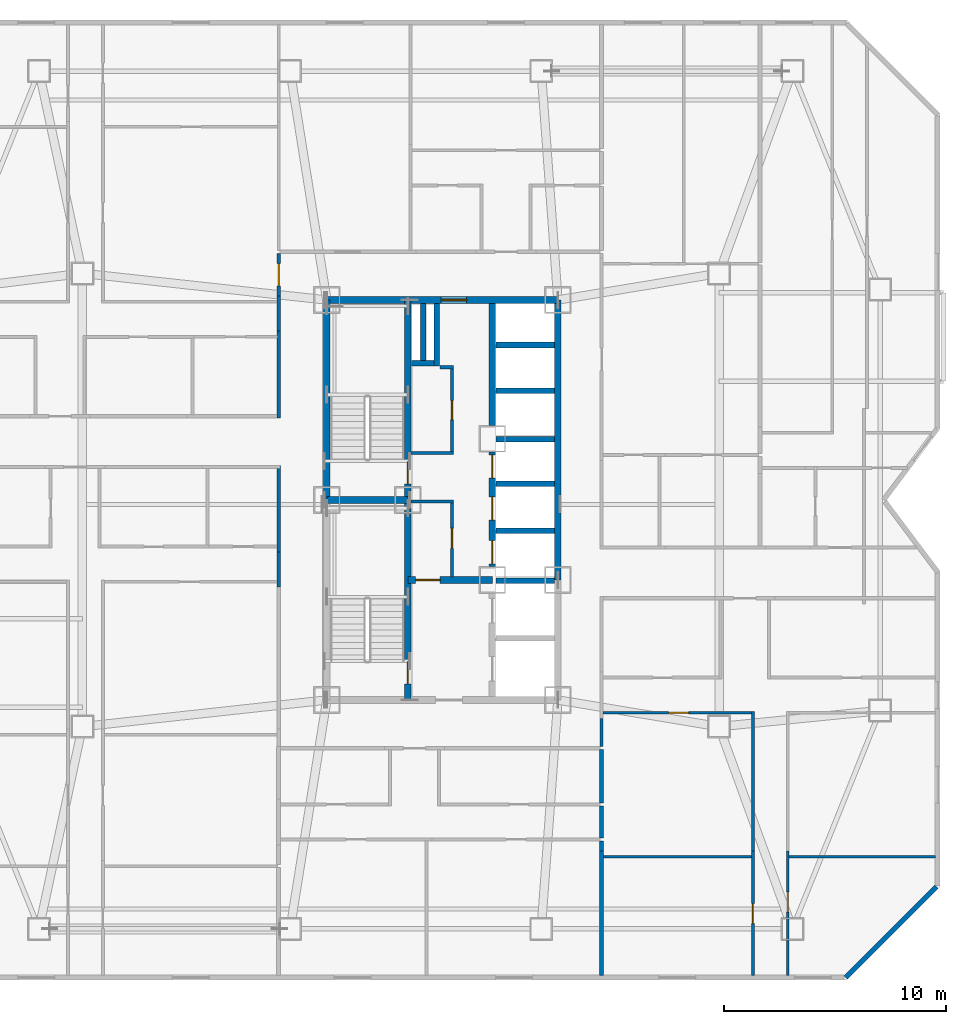
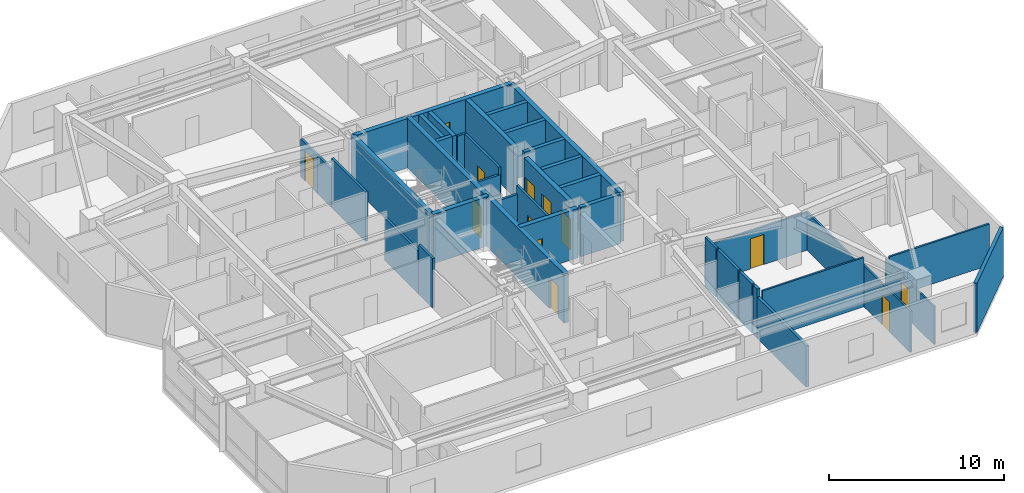
# One storey, part 13 of 17: 40 walls, 13 doors, 13 openings.
"""IFC4 building model written with IfcOpenShell, lengths in metres."""

from ifc_helpers import new_model, si_unit, direction, frame, frame_2d, origin, place, context, subcontext, project, spatial, rectangle, extrude, material, layer, layer_set, type_object, element, fill, save


model = new_model("IFC4")

# Units and contexts
model_context = context("Model", 3, precision=1e-05, world=origin(), true_north=direction((0.0, 1.0)))
body_context = subcontext(model_context, "Body", "Model", "MODEL_VIEW")
ifc_project = project(units=[si_unit("LENGTHUNIT", "METRE"), si_unit("AREAUNIT", "SQUARE_METRE"), si_unit("VOLUMEUNIT", "CUBIC_METRE"), si_unit("PLANEANGLEUNIT", "RADIAN"), si_unit("MASSUNIT", "GRAM", prefix="KILO")], contexts=[model_context])

# Site, building, storey
site_placement = place(None, origin())
site = spatial("IfcSite", under=ifc_project, at=site_placement, CompositionType="ELEMENT")
building_placement = place(site_placement, origin())
building = spatial("IfcBuilding", under=site, at=building_placement, Name="Khamvora Tower", CompositionType="ELEMENT")
storey_placement = place(building_placement, frame((0.0, 0.0, 131.10009765625)))
storey = spatial("IfcBuildingStorey", under=building, at=storey_placement, Name="L33", CompositionType="ELEMENT", Elevation=131.10009765625)

# Wall
ifc_material_1 = material(Name="Concrete C50/60", Category="concrete")
ifc_layer_1 = layer(ifc_material_1, 0.300048828125)
ifc_layer_set_1 = layer_set([ifc_layer_1], Name="Concrete C50/60")
wall_type_1 = type_object("IfcWallType", Name="WAL-CORE-300", PredefinedType="SHEAR", material=ifc_layer_set_1)
wall_1_placement = place(storey_placement, frame((29.0, 28.0, 0.0), z_axis=(0.0, 0.0, 1.0), x_axis=(0.0, 1.0, 0.0)))
element("IfcWall", 1, at=wall_1_placement, inside=storey, type_object=wall_type_1, Name="L33 central core west north wall", PredefinedType="SHEAR", context=body_context, shape_type="SweptSolid", body=[
    extrude(rectangle(XDim=9.0, YDim=0.300048828125, at=frame_2d((4.5, 0.0))), origin(), (0.0, 0.0, 1.0), 3.429931640625),
])

# Wall, opening, door
wall_2_placement = place(storey_placement, frame((29.0, 37.0, 0.0), z_axis=(0.0, 0.0, 1.0), x_axis=(1.0, 0.0, 0.0)))
wall_2 = element("IfcWall", 2, at=wall_2_placement, inside=storey, type_object=wall_type_1, Name="L33 central core north wall", PredefinedType="SHEAR", context=body_context, shape_type="SweptSolid", body=[
    extrude(rectangle(XDim=10.39990234375, YDim=0.300048828125, at=frame_2d((5.199951171875, 0.0))), origin(), (0.0, 0.0, 1.0), 3.429931640625),
])
opening_1_placement = place(wall_2_placement, frame((5.139892578125, 0.0, 0.0)))
opening_1 = element("IfcOpeningElement", 3, at=opening_1_placement, cuts=wall_2, Name="Opening D-SC1", PredefinedType="OPENING", context=body_context, shape_type="SweptSolid", body=[
    extrude(rectangle(XDim=1.14990234375, YDim=2.199951171875, at=frame_2d((0.574951171875, 1.10009765625))), frame((0.0, 0.159912109375, 0.0), z_axis=(0.0, -1.0, 0.0), x_axis=(1.0, 0.0, 0.0)), (0.0, 0.0, 1.0), 0.320068359375),
])
ifc_material_2 = material(Name="Powder-Coated Steel and Hardwood Leaf", Category="steel")
door_type_1 = type_object("IfcDoorType", Name="DOR-SCHL-1150", OperationType="NOTDEFINED", PredefinedType="DOOR", material=ifc_material_2)
door_1_placement = place(opening_1_placement, origin())
door_1 = element("IfcDoor", 4, at=door_1_placement, inside=storey, type_object=door_type_1, Name="L33 north core lobby to corridor fire door", OperationType="SINGLE_SWING_LEFT", OverallHeight=2.199951171875, OverallWidth=1.14990234375, PredefinedType="DOOR", context=body_context, shape_type="SweptSolid", body=[
    extrude(rectangle(XDim=1.14990234375, YDim=2.199951171875, at=frame_2d((0.574951171875, 1.10009765625))), frame((0.0, 0.02490234375, 0.0), z_axis=(0.0, -1.0, 0.0), x_axis=(1.0, 0.0, 0.0)), (0.0, 0.0, 1.0), 0.050048828125),
])
fill(opening_1, door_1)

# Wall
wall_3_placement = place(storey_placement, frame((39.39990234375, 24.39990234375, 0.0), z_axis=(0.0, 0.0, 1.0), x_axis=(0.0, 1.0, 0.0)))
element("IfcWall", 5, at=wall_3_placement, inside=storey, type_object=wall_type_1, Name="L33 central core east north wall", PredefinedType="SHEAR", context=body_context, shape_type="SweptSolid", body=[
    extrude(rectangle(XDim=12.60009765625, YDim=0.300048828125, at=frame_2d((6.300048828125, 0.0))), origin(), (0.0, 0.0, 1.0), 3.429931640625),
])

# Wall, opening, door
wall_4_placement = place(storey_placement, frame((32.64990234375, 19.0, 0.0), z_axis=(0.0, 0.0, 1.0), x_axis=(0.0, 1.0, 0.0)))
wall_4 = element("IfcWall", 6, at=wall_4_placement, inside=storey, type_object=wall_type_1, Name="L33 central core stair south spine wall", PredefinedType="SHEAR", context=body_context, shape_type="SweptSolid", body=[
    extrude(rectangle(XDim=9.0, YDim=0.300048828125, at=frame_2d((4.5, 0.0))), origin(), (0.0, 0.0, 1.0), 3.429931640625),
])
opening_2_placement = place(wall_4_placement, frame((0.719970703125, 0.0, 0.0)))
opening_2 = element("IfcOpeningElement", 7, at=opening_2_placement, cuts=wall_4, Name="Opening D-ST1", PredefinedType="OPENING", context=body_context, shape_type="SweptSolid", body=[
    extrude(rectangle(XDim=1.0, YDim=2.14990234375, at=frame_2d((0.5, 1.074951171875))), frame((0.0, 0.159912109375, 0.0), z_axis=(0.0, -1.0, 0.0), x_axis=(1.0, 0.0, 0.0)), (0.0, 0.0, 1.0), 0.320068359375),
])
door_type_2 = type_object("IfcDoorType", Name="DOR-STAIR-1000", OperationType="NOTDEFINED", PredefinedType="DOOR", material=ifc_material_2)
door_2_placement = place(opening_2_placement, origin())
door_2 = element("IfcDoor", 8, at=door_2_placement, inside=storey, type_object=door_type_2, Name="L33 exit stair ST-01 fire door", OperationType="SINGLE_SWING_RIGHT", OverallHeight=2.14990234375, OverallWidth=1.0, PredefinedType="DOOR", context=body_context, shape_type="SweptSolid", body=[
    extrude(rectangle(XDim=1.0, YDim=2.14990234375, at=frame_2d((0.5, 1.074951171875))), frame((0.0, 0.02490234375, 0.0), z_axis=(0.0, -1.0, 0.0), x_axis=(1.0, 0.0, 0.0)), (0.0, 0.0, 1.0), 0.050048828125),
])
fill(opening_2, door_2)

wall_5_placement = place(storey_placement, frame((32.64990234375, 28.0, 0.0), z_axis=(0.0, 0.0, 1.0), x_axis=(0.0, 1.0, 0.0)))
wall_5 = element("IfcWall", 9, at=wall_5_placement, inside=storey, type_object=wall_type_1, Name="L33 central core stair north spine wall", PredefinedType="SHEAR", context=body_context, shape_type="SweptSolid", body=[
    extrude(rectangle(XDim=9.0, YDim=0.300048828125, at=frame_2d((4.5, 0.0))), origin(), (0.0, 0.0, 1.0), 3.429931640625),
])
opening_3_placement = place(wall_5_placement, frame((0.719970703125, 0.0, 0.0)))
opening_3 = element("IfcOpeningElement", 10, at=opening_3_placement, cuts=wall_5, Name="Opening D-ST1", PredefinedType="OPENING", context=body_context, shape_type="SweptSolid", body=[
    extrude(rectangle(XDim=1.0, YDim=2.14990234375, at=frame_2d((0.5, 1.074951171875))), frame((0.0, 0.159912109375, 0.0), z_axis=(0.0, -1.0, 0.0), x_axis=(1.0, 0.0, 0.0)), (0.0, 0.0, 1.0), 0.320068359375),
])
door_3_placement = place(opening_3_placement, origin())
door_3 = element("IfcDoor", 11, at=door_3_placement, inside=storey, type_object=door_type_2, Name="L33 exit stair ST-02 fire door", OperationType="SINGLE_SWING_RIGHT", OverallHeight=2.14990234375, OverallWidth=1.0, PredefinedType="DOOR", context=body_context, shape_type="SweptSolid", body=[
    extrude(rectangle(XDim=1.0, YDim=2.14990234375, at=frame_2d((0.5, 1.074951171875))), frame((0.0, 0.02490234375, 0.0), z_axis=(0.0, -1.0, 0.0), x_axis=(1.0, 0.0, 0.0)), (0.0, 0.0, 1.0), 0.050048828125),
])
fill(opening_3, door_3)

# Wall
wall_6_placement = place(storey_placement, frame((29.0, 28.0, 0.0), z_axis=(0.0, 0.0, 1.0), x_axis=(1.0, 0.0, 0.0)))
element("IfcWall", 12, at=wall_6_placement, inside=storey, type_object=wall_type_1, Name="L33 central core stair cross wall", PredefinedType="SHEAR", context=body_context, shape_type="SweptSolid", body=[
    extrude(rectangle(XDim=3.64990234375, YDim=0.300048828125, at=frame_2d((1.824951171875, 0.0))), origin(), (0.0, 0.0, 1.0), 3.429931640625),
])

# Wall, opening, door
wall_7_placement = place(storey_placement, frame((32.64990234375, 24.39990234375, 0.0), z_axis=(0.0, 0.0, 1.0), x_axis=(1.0, 0.0, 0.0)))
wall_7 = element("IfcWall", 13, at=wall_7_placement, inside=storey, type_object=wall_type_1, Name="L33 central core firefighting lobby north wall", PredefinedType="SHEAR", context=body_context, shape_type="SweptSolid", body=[
    extrude(rectangle(XDim=3.800048828125, YDim=0.300048828125, at=frame_2d((1.89990234375, 0.0))), origin(), (0.0, 0.0, 1.0), 3.429931640625),
])
opening_4_placement = place(wall_7_placement, frame((0.35009765625, 0.0, 0.0)))
opening_4 = element("IfcOpeningElement", 14, at=opening_4_placement, cuts=wall_7, Name="Opening D-FF1", PredefinedType="OPENING", context=body_context, shape_type="SweptSolid", body=[
    extrude(rectangle(XDim=1.10009765625, YDim=2.14990234375, at=frame_2d((0.550048828125, 1.074951171875))), frame((0.0, 0.159912109375, 0.0), z_axis=(0.0, -1.0, 0.0), x_axis=(1.0, 0.0, 0.0)), (0.0, 0.0, 1.0), 0.320068359375),
])
door_type_3 = type_object("IfcDoorType", Name="DOR-FFLOB-1100", OperationType="NOTDEFINED", PredefinedType="DOOR", material=ifc_material_2)
door_4_placement = place(opening_4_placement, origin())
door_4 = element("IfcDoor", 15, at=door_4_placement, inside=storey, type_object=door_type_3, Name="L33 firefighting lobby smoke-seal fire door", OperationType="SINGLE_SWING_LEFT", OverallHeight=2.14990234375, OverallWidth=1.10009765625, PredefinedType="DOOR", context=body_context, shape_type="SweptSolid", body=[
    extrude(rectangle(XDim=1.10009765625, YDim=2.14990234375, at=frame_2d((0.550048828125, 1.074951171875))), frame((0.0, 0.02490234375, 0.0), z_axis=(0.0, -1.0, 0.0), x_axis=(1.0, 0.0, 0.0)), (0.0, 0.0, 1.0), 0.050048828125),
])
fill(opening_4, door_4)

# Wall, openings, doors
wall_8_placement = place(storey_placement, frame((36.449951171875, 25.0, 0.0), z_axis=(0.0, 0.0, 1.0), x_axis=(0.0, 1.0, 0.0)))
wall_8 = element("IfcWall", 16, at=wall_8_placement, inside=storey, type_object=wall_type_1, Name="L33 central core lift bank central wall", PredefinedType="SHEAR", context=body_context, shape_type="SweptSolid", body=[
    extrude(rectangle(XDim=5.14990234375, YDim=0.300048828125, at=frame_2d((2.574951171875, 0.0))), origin(), (0.0, 0.0, 1.0), 3.429931640625),
])
opening_5_placement = place(wall_8_placement, frame((0.1201171875, 0.0, 0.0)))
opening_5 = element("IfcOpeningElement", 17, at=opening_5_placement, cuts=wall_8, Name="Opening LD-PL", PredefinedType="OPENING", context=body_context, shape_type="SweptSolid", body=[
    extrude(rectangle(XDim=1.050048828125, YDim=2.14990234375, at=frame_2d((0.52490234375, 1.074951171875))), frame((0.0, 0.159912109375, 0.0), z_axis=(0.0, -1.0, 0.0), x_axis=(1.0, 0.0, 0.0)), (0.0, 0.0, 1.0), 0.320068359375),
])
opening_6_placement = place(wall_8_placement, frame((2.094970703125, 0.0, 0.0)))
opening_6 = element("IfcOpeningElement", 18, at=opening_6_placement, cuts=wall_8, Name="Opening LD-PL", PredefinedType="OPENING", context=body_context, shape_type="SweptSolid", body=[
    extrude(rectangle(XDim=1.050048828125, YDim=2.14990234375, at=frame_2d((0.52490234375, 1.074951171875))), frame((0.0, 0.159912109375, 0.0), z_axis=(0.0, -1.0, 0.0), x_axis=(1.0, 0.0, 0.0)), (0.0, 0.0, 1.0), 0.320068359375),
])
opening_7_placement = place(wall_8_placement, frame((3.97998046875, 0.0, 0.0)))
opening_7 = element("IfcOpeningElement", 19, at=opening_7_placement, cuts=wall_8, Name="Opening LD-PL", PredefinedType="OPENING", context=body_context, shape_type="SweptSolid", body=[
    extrude(rectangle(XDim=1.050048828125, YDim=2.14990234375, at=frame_2d((0.52490234375, 1.074951171875))), frame((0.0, 0.159912109375, 0.0), z_axis=(0.0, -1.0, 0.0), x_axis=(1.0, 0.0, 0.0)), (0.0, 0.0, 1.0), 0.320068359375),
])
door_type_4 = type_object("IfcDoorType", Name="DOR-LIFT-1050", OperationType="SLIDING_TO_LEFT", PredefinedType="DOOR", material=ifc_material_2)
door_5_placement = place(opening_5_placement, origin())
door_5 = element("IfcDoor", 20, at=door_5_placement, inside=storey, type_object=door_type_4, Name="L33 lift landing sliding door PL-01", OperationType="SLIDING_TO_LEFT", OverallHeight=2.14990234375, OverallWidth=1.050048828125, PredefinedType="DOOR", context=body_context, shape_type="SweptSolid", body=[
    extrude(rectangle(XDim=1.050048828125, YDim=2.14990234375, at=frame_2d((0.52490234375, 1.074951171875))), frame((0.0, 0.02490234375, 0.0), z_axis=(0.0, -1.0, 0.0), x_axis=(1.0, 0.0, 0.0)), (0.0, 0.0, 1.0), 0.050048828125),
])
fill(opening_5, door_5)
door_6_placement = place(opening_6_placement, origin())
door_6 = element("IfcDoor", 21, at=door_6_placement, inside=storey, type_object=door_type_4, Name="L33 lift landing sliding door PL-02", OperationType="SLIDING_TO_LEFT", OverallHeight=2.14990234375, OverallWidth=1.050048828125, PredefinedType="DOOR", context=body_context, shape_type="SweptSolid", body=[
    extrude(rectangle(XDim=1.050048828125, YDim=2.14990234375, at=frame_2d((0.52490234375, 1.074951171875))), frame((0.0, 0.02490234375, 0.0), z_axis=(0.0, -1.0, 0.0), x_axis=(1.0, 0.0, 0.0)), (0.0, 0.0, 1.0), 0.050048828125),
])
fill(opening_6, door_6)
door_7_placement = place(opening_7_placement, origin())
door_7 = element("IfcDoor", 22, at=door_7_placement, inside=storey, type_object=door_type_4, Name="L33 lift landing sliding door PL-03", OperationType="SLIDING_TO_LEFT", OverallHeight=2.14990234375, OverallWidth=1.050048828125, PredefinedType="DOOR", context=body_context, shape_type="SweptSolid", body=[
    extrude(rectangle(XDim=1.050048828125, YDim=2.14990234375, at=frame_2d((0.52490234375, 1.074951171875))), frame((0.0, 0.02490234375, 0.0), z_axis=(0.0, -1.0, 0.0), x_axis=(1.0, 0.0, 0.0)), (0.0, 0.0, 1.0), 0.050048828125),
])
fill(opening_7, door_7)

# Walls
wall_9_placement = place(storey_placement, frame((36.449951171875, 31.35009765625, 0.0), z_axis=(0.0, 0.0, 1.0), x_axis=(0.0, 1.0, 0.0)))
element("IfcWall", 23, at=wall_9_placement, inside=storey, type_object=wall_type_1, Name="L33 central core lift bank north wall", PredefinedType="SHEAR", context=body_context, shape_type="SweptSolid", body=[
    extrude(rectangle(XDim=5.495849609375, YDim=0.300048828125, at=frame_2d((2.748046875, 0.0))), origin(), (0.0, 0.0, 1.0), 3.429931640625),
])
ifc_material_3 = material(Name="Fire-Rated Drywall and Steel Stud", Category="steel")
ifc_layer_2 = layer(ifc_material_3, 0.14990234375)
ifc_layer_set_2 = layer_set([ifc_layer_2], Name="Fire-Rated Drywall and Steel Stud")
wall_type_2 = type_object("IfcWallType", Name="WAL-CORR-150", PredefinedType="STANDARD", material=ifc_layer_set_2)
wall_10_placement = place(storey_placement, frame((32.7939453125, 30.114990234375, 0.0), z_axis=(0.0, 0.0, 1.0), x_axis=(1.0, 0.0, 0.0)))
element("IfcWall", 24, at=wall_10_placement, inside=storey, type_object=wall_type_2, Name="L33 interior partition wall 001", PredefinedType="STANDARD", context=body_context, shape_type="SweptSolid", body=[
    extrude(rectangle(XDim=1.906005859375, YDim=0.14990234375, at=frame_2d((0.953125, 0.0))), origin(), (0.0, 0.0, 1.0), 2.886962890625),
])

# Wall, opening, door
wall_11_placement = place(storey_placement, frame((34.635009765625, 30.052001953125, 0.0), z_axis=(0.0, 0.0, 1.0), x_axis=(0.0, 1.0, 0.0)))
wall_11 = element("IfcWall", 25, at=wall_11_placement, inside=storey, type_object=wall_type_2, Name="L33 interior partition wall 002", PredefinedType="STANDARD", context=body_context, shape_type="SweptSolid", body=[
    extrude(rectangle(XDim=3.988037109375, YDim=0.14990234375, at=frame_2d((1.994140625, 0.0))), origin(), (0.0, 0.0, 1.0), 3.429931640625),
])
opening_8_placement = place(wall_11_placement, frame((1.569091796875, 0.0, 0.0)))
opening_8 = element("IfcOpeningElement", 26, at=opening_8_placement, cuts=wall_11, Name="Opening D-WC1", PredefinedType="OPENING", context=body_context, shape_type="SweptSolid", body=[
    extrude(rectangle(XDim=0.85009765625, YDim=2.10009765625, at=frame_2d((0.425048828125, 1.050048828125))), frame((0.0, 0.0849609375, 0.0), z_axis=(0.0, -1.0, 0.0), x_axis=(1.0, 0.0, 0.0)), (0.0, 0.0, 1.0), 0.169921875),
])
door_type_5 = type_object("IfcDoorType", Name="DOR-WET-850", OperationType="NOTDEFINED", PredefinedType="DOOR", material=ifc_material_2)
door_8_placement = place(opening_8_placement, origin())
door_8 = element("IfcDoor", 27, at=door_8_placement, inside=storey, type_object=door_type_5, Name="L33 interior door PLL-CS1", OperationType="SINGLE_SWING_RIGHT", OverallHeight=2.10009765625, OverallWidth=0.85009765625, PredefinedType="DOOR", context=body_context, shape_type="SweptSolid", body=[
    extrude(rectangle(XDim=0.85009765625, YDim=2.10009765625, at=frame_2d((0.425048828125, 1.050048828125))), frame((0.0, 0.02490234375, 0.0), z_axis=(0.0, -1.0, 0.0), x_axis=(1.0, 0.0, 0.0)), (0.0, 0.0, 1.0), 0.050048828125),
])
fill(opening_8, door_8)

# Wall
wall_12_placement = place(storey_placement, frame((34.699951171875, 33.97509765625, 0.0), z_axis=(0.0, 0.0, 1.0), x_axis=(-1.0, 0.0, 0.0)))
element("IfcWall", 28, at=wall_12_placement, inside=storey, type_object=wall_type_2, Name="L33 interior partition wall 003", PredefinedType="STANDARD", context=body_context, shape_type="SweptSolid", body=[
    extrude(rectangle(XDim=0.599853515625, YDim=0.14990234375, at=frame_2d((0.2998046875, 0.0))), origin(), (0.0, 0.0, 1.0), 3.429931640625),
])

# Wall, opening, door
wall_13_placement = place(storey_placement, frame((34.635009765625, 24.5439453125, 0.0), z_axis=(0.0, 0.0, 1.0), x_axis=(0.0, 1.0, 0.0)))
wall_13 = element("IfcWall", 29, at=wall_13_placement, inside=storey, type_object=wall_type_2, Name="L33 interior partition wall 004", PredefinedType="STANDARD", context=body_context, shape_type="SweptSolid", body=[
    extrude(rectangle(XDim=3.4560546875, YDim=0.14990234375, at=frame_2d((1.72802734375, 0.0))), origin(), (0.0, 0.0, 1.0), 3.429931640625),
])
opening_9_placement = place(wall_13_placement, frame((1.278076171875, 0.0, 0.0)))
opening_9 = element("IfcOpeningElement", 30, at=opening_9_placement, cuts=wall_13, Name="Opening D-RM1", PredefinedType="OPENING", context=body_context, shape_type="SweptSolid", body=[
    extrude(rectangle(XDim=0.89990234375, YDim=2.10009765625, at=frame_2d((0.449951171875, 1.050048828125))), frame((0.0, 0.0849609375, 0.0), z_axis=(0.0, -1.0, 0.0), x_axis=(1.0, 0.0, 0.0)), (0.0, 0.0, 1.0), 0.169921875),
])
door_type_6 = type_object("IfcDoorType", Name="DOR-ROOM-900", OperationType="NOTDEFINED", PredefinedType="DOOR", material=ifc_material_2)
door_9_placement = place(opening_9_placement, origin())
door_9 = element("IfcDoor", 31, at=door_9_placement, inside=storey, type_object=door_type_6, Name="L33 interior door PLL-CS2", OperationType="SINGLE_SWING_LEFT", OverallHeight=2.10009765625, OverallWidth=0.89990234375, PredefinedType="DOOR", context=body_context, shape_type="SweptSolid", body=[
    extrude(rectangle(XDim=0.89990234375, YDim=2.10009765625, at=frame_2d((0.449951171875, 1.050048828125))), frame((0.0, 0.02490234375, 0.0), z_axis=(0.0, -1.0, 0.0), x_axis=(1.0, 0.0, 0.0)), (0.0, 0.0, 1.0), 0.050048828125),
])
fill(opening_9, door_9)

# Walls
wall_14_placement = place(storey_placement, frame((34.699951171875, 27.93505859375, 0.0), z_axis=(0.0, 0.0, 1.0), x_axis=(-1.0, 0.0, 0.0)))
element("IfcWall", 32, at=wall_14_placement, inside=storey, type_object=wall_type_2, Name="L33 interior partition wall 005", PredefinedType="STANDARD", context=body_context, shape_type="SweptSolid", body=[
    extrude(rectangle(XDim=1.906005859375, YDim=0.14990234375, at=frame_2d((0.953125, 0.0))), origin(), (0.0, 0.0, 1.0), 2.886962890625),
])
wall_15_placement = place(storey_placement, frame((26.8349609375, 25.656005859375, 0.0), z_axis=(0.0, 0.0, 1.0), x_axis=(0.0, 1.0, 0.0)))
element("IfcWall", 33, at=wall_15_placement, inside=storey, type_object=wall_type_2, Name="L33 interior partition wall 007", PredefinedType="STANDARD", context=body_context, shape_type="SweptSolid", body=[
    extrude(rectangle(XDim=3.89404296875, YDim=0.14990234375, at=frame_2d((1.947021484375, 0.0))), origin(), (0.0, 0.0, 1.0), 2.956787109375),
])
wall_16_placement = place(storey_placement, frame((26.8349609375, 24.075927734375, 0.0), z_axis=(0.0, 0.0, 1.0), x_axis=(0.0, 1.0, 0.0)))
element("IfcWall", 34, at=wall_16_placement, inside=storey, type_object=wall_type_2, Name="L33 interior partition wall 009", PredefinedType="STANDARD", context=body_context, shape_type="SweptSolid", body=[
    extrude(rectangle(XDim=1.580078125, YDim=0.14990234375, at=frame_2d((0.7900390625, 0.0))), origin(), (0.0, 0.0, 1.0), 3.429931640625),
])
wall_17_placement = place(storey_placement, frame((26.8349609375, 31.699951171875, 0.0), z_axis=(0.0, 0.0, 1.0), x_axis=(0.0, 1.0, 0.0)))
element("IfcWall", 35, at=wall_17_placement, inside=storey, type_object=wall_type_2, Name="L33 interior partition wall 015", PredefinedType="STANDARD", context=body_context, shape_type="SweptSolid", body=[
    extrude(rectangle(XDim=3.89404296875, YDim=0.14990234375, at=frame_2d((1.947021484375, 0.0))), origin(), (0.0, 0.0, 1.0), 3.429931640625),
])
wall_18_placement = place(storey_placement, frame((26.8349609375, 35.593994140625, 0.0), z_axis=(0.0, 0.0, 1.0), x_axis=(0.0, 1.0, 0.0)))
element("IfcWall", 36, at=wall_18_placement, inside=storey, type_object=wall_type_2, Name="L33 interior partition wall 017", PredefinedType="STANDARD", context=body_context, shape_type="SweptSolid", body=[
    extrude(rectangle(XDim=1.580078125, YDim=0.14990234375, at=frame_2d((0.7900390625, 0.0))), origin(), (0.0, 0.0, 1.0), 2.64697265625),
])

# Wall, opening, door
wall_19_placement = place(storey_placement, frame((26.8349609375, 37.174072265625, 0.0), z_axis=(0.0, 0.0, 1.0), x_axis=(0.0, 1.0, 0.0)))
wall_19 = element("IfcWall", 37, at=wall_19_placement, inside=storey, type_object=wall_type_2, Name="L33 interior partition wall 021", PredefinedType="STANDARD", context=body_context, shape_type="SweptSolid", body=[
    extrude(rectangle(XDim=1.926025390625, YDim=0.14990234375, at=frame_2d((0.962890625, 0.0))), origin(), (0.0, 0.0, 1.0), 2.64697265625),
])
opening_10_placement = place(wall_19_placement, frame((0.462890625, 0.0, 0.0)))
opening_10 = element("IfcOpeningElement", 38, at=opening_10_placement, cuts=wall_19, Name="Opening D-U1", PredefinedType="OPENING", context=body_context, shape_type="SweptSolid", body=[
    extrude(rectangle(XDim=1.0, YDim=2.14990234375, at=frame_2d((0.5, 1.074951171875))), frame((0.0, 0.0849609375, 0.0), z_axis=(0.0, -1.0, 0.0), x_axis=(1.0, 0.0, 0.0)), (0.0, 0.0, 1.0), 0.169921875),
])
door_type_7 = type_object("IfcDoorType", Name="DOR-UNIT-1000", OperationType="NOTDEFINED", PredefinedType="DOOR", material=ifc_material_2)
door_10_placement = place(opening_10_placement, origin())
door_10 = element("IfcDoor", 39, at=door_10_placement, inside=storey, type_object=door_type_7, Name="L33 interior door COR-33WBR3", OperationType="SINGLE_SWING_LEFT", OverallHeight=2.14990234375, OverallWidth=1.0, PredefinedType="DOOR", context=body_context, shape_type="SweptSolid", body=[
    extrude(rectangle(XDim=1.0, YDim=2.14990234375, at=frame_2d((0.5, 1.074951171875))), frame((0.0, 0.02490234375, 0.0), z_axis=(0.0, -1.0, 0.0), x_axis=(1.0, 0.0, 0.0)), (0.0, 0.0, 1.0), 0.050048828125),
])
fill(opening_10, door_10)

# Walls
wall_20_placement = place(storey_placement, frame((41.364990234375, 18.176025390625, 0.0), z_axis=(0.0, 0.0, 1.0), x_axis=(0.0, -1.0, 0.0)))
element("IfcWall", 40, at=wall_20_placement, inside=storey, type_object=wall_type_2, Name="L33 interior partition wall 033", PredefinedType="STANDARD", context=body_context, shape_type="SweptSolid", body=[
    extrude(rectangle(XDim=1.276123046875, YDim=0.14990234375, at=frame_2d((0.63818359375, 0.0))), origin(), (0.0, 0.0, 1.0), 3.429931640625),
])
ifc_material_4 = material(Name="Acoustic Double-Stud Fire Wall", Category="gypsum")
ifc_layer_3 = layer(ifc_material_4, 0.179931640625)
ifc_layer_set_3 = layer_set([ifc_layer_3], Name="Acoustic Double-Stud Fire Wall")
wall_type_3 = type_object("IfcWallType", Name="WAL-CORR-180", PredefinedType="STANDARD", material=ifc_layer_set_3)
wall_21_placement = place(storey_placement, frame((41.364990234375, 14.239990234375, 0.0), z_axis=(0.0, 0.0, 1.0), x_axis=(0.0, -1.0, 0.0)))
element("IfcWall", 41, at=wall_21_placement, inside=storey, type_object=wall_type_3, Name="L33 interior partition wall 088", PredefinedType="STANDARD", context=body_context, shape_type="SweptSolid", body=[
    extrude(rectangle(XDim=1.449951171875, YDim=0.179931640625, at=frame_2d((0.72509765625, 0.0))), origin(), (0.0, 0.0, 1.0), 3.429931640625),
])
wall_22_placement = place(storey_placement, frame((41.364990234375, 16.77001953125, 0.0), z_axis=(0.0, 0.0, 1.0), x_axis=(0.0, -1.0, 0.0)))
element("IfcWall", 42, at=wall_22_placement, inside=storey, type_object=wall_type_3, Name="L33 interior partition wall 089", PredefinedType="STANDARD", context=body_context, shape_type="SweptSolid", body=[
    extrude(rectangle(XDim=2.39990234375, YDim=0.179931640625, at=frame_2d((1.199951171875, 0.0))), origin(), (0.0, 0.0, 1.0), 3.429931640625),
])
wall_23_placement = place(storey_placement, frame((41.364990234375, 12.194091796875, 0.0), z_axis=(0.0, 0.0, 1.0), x_axis=(0.0, -1.0, 0.0)))
element("IfcWall", 43, at=wall_23_placement, inside=storey, type_object=wall_type_3, Name="L33 interior partition wall 091", PredefinedType="STANDARD", context=body_context, shape_type="SweptSolid", body=[
    extrude(rectangle(XDim=5.58203125, YDim=0.179931640625, at=frame_2d((2.791015625, 0.0))), origin(), (0.0, 0.0, 1.0), 2.8759765625),
])
wall_24_placement = place(storey_placement, frame((41.364990234375, 12.659912109375, 0.0), z_axis=(0.0, 0.0, 1.0), x_axis=(0.0, -1.0, 0.0)))
element("IfcWall", 44, at=wall_24_placement, inside=storey, type_object=wall_type_3, Name="L33 interior partition wall 092", PredefinedType="STANDARD", context=body_context, shape_type="SweptSolid", body=[
    extrude(rectangle(XDim=0.4658203125, YDim=0.179931640625, at=frame_2d((0.23291015625, 0.0))), origin(), (0.0, 0.0, 1.0), 3.429931640625),
])
ifc_material_5 = material(Name="Precast concrete C40/50", Category="concrete")
ifc_layer_4 = layer(ifc_material_5, 0.219970703125)
ifc_layer_set_4 = layer_set([ifc_layer_4], Name="Precast concrete C40/50")
wall_type_4 = type_object("IfcWallType", Name="WAL-EXT-220", PredefinedType="STANDARD", material=ifc_layer_set_4)
wall_25_placement = place(storey_placement, frame((56.43994140625, 10.595947265625, 0.0), z_axis=(0.0, 0.0, 1.0), x_axis=(-0.707106781187, -0.707106781187, 0.0)))
element("IfcWall", 45, at=wall_25_placement, inside=storey, type_object=wall_type_4, Name="L33 exterior facade wall 13.1", PredefinedType="STANDARD", context=body_context, shape_type="SweptSolid", body=[
    extrude(rectangle(XDim=5.7783203125, YDim=0.219970703125, at=frame_2d((2.88916015625, 0.0))), origin(), (0.0, 0.0, 1.0), 3.429931640625),
])

# Wall, opening, door
ifc_material_6 = material(Name="Gypsum Plasterboard Partition", Category="gypsum")
ifc_layer_5 = layer(ifc_material_6, 0.1201171875)
ifc_layer_set_5 = layer_set([ifc_layer_5], Name="Gypsum Plasterboard Partition")
wall_type_5 = type_object("IfcWallType", Name="WAL-PART-120", PredefinedType="PARTITIONING", material=ifc_layer_set_5)
wall_26_placement = place(storey_placement, frame((48.175048828125, 6.612060546875, 0.0), z_axis=(0.0, 0.0, 1.0), x_axis=(0.0, 1.0, 0.0)))
wall_26 = element("IfcWall", 46, at=wall_26_placement, inside=storey, type_object=wall_type_5, Name="L33 interior partition wall 105", PredefinedType="PARTITIONING", context=body_context, shape_type="SweptSolid", body=[
    extrude(rectangle(XDim=5.58203125, YDim=0.1201171875, at=frame_2d((2.791015625, 0.0))), origin(), (0.0, 0.0, 1.0), 2.8759765625),
])
opening_11_placement = place(wall_26_placement, frame((2.320068359375, 0.0, 0.0)))
opening_11 = element("IfcOpeningElement", 47, at=opening_11_placement, cuts=wall_26, Name="Opening D-RM1", PredefinedType="OPENING", context=body_context, shape_type="SweptSolid", body=[
    extrude(rectangle(XDim=0.89990234375, YDim=2.10009765625, at=frame_2d((0.449951171875, 1.050048828125))), frame((0.0, 0.070068359375, 0.0), z_axis=(0.0, -1.0, 0.0), x_axis=(1.0, 0.0, 0.0)), (0.0, 0.0, 1.0), 0.14013671875),
])
door_11_placement = place(opening_11_placement, origin())
door_11 = element("IfcDoor", 48, at=door_11_placement, inside=storey, type_object=door_type_6, Name="L33 interior door 33EAH-33EAR1", OperationType="SINGLE_SWING_LEFT", OverallHeight=2.10009765625, OverallWidth=0.89990234375, PredefinedType="DOOR", context=body_context, shape_type="SweptSolid", body=[
    extrude(rectangle(XDim=0.89990234375, YDim=2.10009765625, at=frame_2d((0.449951171875, 1.050048828125))), frame((0.0, 0.02490234375, 0.0), z_axis=(0.0, -1.0, 0.0), x_axis=(1.0, 0.0, 0.0)), (0.0, 0.0, 1.0), 0.050048828125),
])
fill(opening_11, door_11)

# Wall
wall_27_placement = place(storey_placement, frame((48.175048828125, 12.194091796875, 0.0), z_axis=(0.0, 0.0, 1.0), x_axis=(0.0, 1.0, 0.0)))
element("IfcWall", 49, at=wall_27_placement, inside=storey, type_object=wall_type_5, Name="L33 interior partition wall 106", PredefinedType="PARTITIONING", context=body_context, shape_type="SweptSolid", body=[
    extrude(rectangle(XDim=6.2958984375, YDim=0.1201171875, at=frame_2d((3.14794921875, 0.0))), origin(), (0.0, 0.0, 1.0), 2.64697265625),
])

# Wall, opening, door
wall_28_placement = place(storey_placement, frame((48.239990234375, 18.425048828125, 0.0), z_axis=(0.0, 0.0, 1.0), x_axis=(-1.0, 0.0, 0.0)))
wall_28 = element("IfcWall", 50, at=wall_28_placement, inside=storey, type_object=wall_type_5, Name="L33 interior partition wall 107", PredefinedType="PARTITIONING", context=body_context, shape_type="SweptSolid", body=[
    extrude(rectangle(XDim=6.80810546875, YDim=0.1201171875, at=frame_2d((3.404052734375, 0.0))), origin(), (0.0, 0.0, 1.0), 2.64697265625),
])
opening_12_placement = place(wall_28_placement, frame((2.9541015625, 0.0, 0.0)))
opening_12 = element("IfcOpeningElement", 51, at=opening_12_placement, cuts=wall_28, Name="Opening D-RM1", PredefinedType="OPENING", context=body_context, shape_type="SweptSolid", body=[
    extrude(rectangle(XDim=0.89990234375, YDim=2.10009765625, at=frame_2d((0.449951171875, 1.050048828125))), frame((0.0, 0.070068359375, 0.0), z_axis=(0.0, -1.0, 0.0), x_axis=(1.0, 0.0, 0.0)), (0.0, 0.0, 1.0), 0.14013671875),
])
door_12_placement = place(opening_12_placement, origin())
door_12 = element("IfcDoor", 52, at=door_12_placement, inside=storey, type_object=door_type_6, Name="L33 interior door 33EAH-33EAR2", OperationType="SINGLE_SWING_RIGHT", OverallHeight=2.10009765625, OverallWidth=0.89990234375, PredefinedType="DOOR", context=body_context, shape_type="SweptSolid", body=[
    extrude(rectangle(XDim=0.89990234375, YDim=2.10009765625, at=frame_2d((0.449951171875, 1.050048828125))), frame((0.0, 0.02490234375, 0.0), z_axis=(0.0, -1.0, 0.0), x_axis=(1.0, 0.0, 0.0)), (0.0, 0.0, 1.0), 0.050048828125),
])
fill(opening_12, door_12)

wall_29_placement = place(storey_placement, frame((49.7451171875, 12.194091796875, 0.0), z_axis=(0.0, 0.0, 1.0), x_axis=(0.0, -1.0, 0.0)))
wall_29 = element("IfcWall", 53, at=wall_29_placement, inside=storey, type_object=wall_type_5, Name="L33 interior partition wall 108", PredefinedType="PARTITIONING", context=body_context, shape_type="SweptSolid", body=[
    extrude(rectangle(XDim=5.58203125, YDim=0.1201171875, at=frame_2d((2.791015625, 0.0))), origin(), (0.0, 0.0, 1.0), 2.64697265625),
])
opening_13_placement = place(wall_29_placement, frame((1.842041015625, 0.0, 0.0)))
opening_13 = element("IfcOpeningElement", 54, at=opening_13_placement, cuts=wall_29, Name="Opening D-RM1", PredefinedType="OPENING", context=body_context, shape_type="SweptSolid", body=[
    extrude(rectangle(XDim=0.89990234375, YDim=2.10009765625, at=frame_2d((0.449951171875, 1.050048828125))), frame((0.0, 0.070068359375, 0.0), z_axis=(0.0, -1.0, 0.0), x_axis=(1.0, 0.0, 0.0)), (0.0, 0.0, 1.0), 0.14013671875),
])
door_13_placement = place(opening_13_placement, origin())
door_13 = element("IfcDoor", 55, at=door_13_placement, inside=storey, type_object=door_type_6, Name="L33 interior door 33EAH-33EAR3", OperationType="SINGLE_SWING_LEFT", OverallHeight=2.10009765625, OverallWidth=0.89990234375, PredefinedType="DOOR", context=body_context, shape_type="SweptSolid", body=[
    extrude(rectangle(XDim=0.89990234375, YDim=2.10009765625, at=frame_2d((0.449951171875, 1.050048828125))), frame((0.0, 0.02490234375, 0.0), z_axis=(0.0, -1.0, 0.0), x_axis=(1.0, 0.0, 0.0)), (0.0, 0.0, 1.0), 0.050048828125),
])
fill(opening_13, door_13)

# Walls
wall_30_placement = place(storey_placement, frame((41.447021484375, 11.945068359375, 0.0), z_axis=(0.0, 0.0, 1.0), x_axis=(1.0, 0.0, 0.0)))
element("IfcWall", 56, at=wall_30_placement, inside=storey, type_object=wall_type_5, Name="L33 interior partition wall 111", PredefinedType="PARTITIONING", context=body_context, shape_type="SweptSolid", body=[
    extrude(rectangle(XDim=6.674072265625, YDim=0.1201171875, at=frame_2d((3.3369140625, 0.0))), origin(), (0.0, 0.0, 1.0), 3.429931640625),
])
wall_31_placement = place(storey_placement, frame((49.799072265625, 11.945068359375, 0.0), z_axis=(0.0, 0.0, 1.0), x_axis=(1.0, 0.0, 0.0)))
element("IfcWall", 57, at=wall_31_placement, inside=storey, type_object=wall_type_5, Name="L33 interior partition wall 112", PredefinedType="PARTITIONING", context=body_context, shape_type="SweptSolid", body=[
    extrude(rectangle(XDim=6.5888671875, YDim=0.1201171875, at=frame_2d((3.29443359375, 0.0))), origin(), (0.0, 0.0, 1.0), 2.8759765625),
])
ifc_material_7 = material(Name="Concrete C40/50", Category="concrete")
ifc_layer_6 = layer(ifc_material_7, 0.25)
ifc_layer_set_6 = layer_set([ifc_layer_6], Name="Concrete C40/50")
wall_type_6 = type_object("IfcWallType", Name="WAL-PODS-250", PredefinedType="SHEAR", material=ifc_layer_set_6)
for number, where, z_axis, x_axis, name in (
    (58, (36.60400390625, 24.375, 0.0), (0.0, 0.0, 1.0), (1.0, 0.0, 0.0), "L33 lift shaft divider wall FFL-02"),
    (59, (36.60400390625, 26.625, 0.0), (0.0, 0.0, 1.0), (1.0, 0.0, 0.0), "L33 lift shaft divider wall PL-01"),
    (60, (36.60400390625, 28.72509765625, 0.0), (0.0, 0.0, 1.0), (1.0, 0.0, 0.0), "L33 lift shaft divider wall PL-02"),
    (61, (36.60400390625, 30.72509765625, 0.0), (0.0, 0.0, 1.0), (1.0, 0.0, 0.0), "L33 lift shaft divider wall PL-03"),
    (62, (36.60400390625, 32.925048828125, 0.0), (0.0, 0.0, 1.0), (1.0, 0.0, 0.0), "L33 lift shaft divider wall PH-01"),
    (63, (36.60400390625, 34.97509765625, 0.0), (0.0, 0.0, 1.0), (1.0, 0.0, 0.0), "L33 lift shaft divider wall PH-02"),
):
    element("IfcWall", number, at=place(storey_placement, frame(where, z_axis=z_axis, x_axis=x_axis)), inside=storey, type_object=wall_type_6, Name=name, PredefinedType="SHEAR", context=body_context, shape_type="SweptSolid", body=[
        extrude(rectangle(XDim=2.64208984375, YDim=0.25, at=frame_2d((1.321044921875, 0.0))), origin(), (0.0, 0.0, 1.0), 3.429931640625),
    ])
wall_32_placement = place(storey_placement, frame((33.955078125, 34.02490234375, 0.0), z_axis=(0.0, 0.0, 1.0), x_axis=(0.0, 1.0, 0.0)))
element("IfcWall", 64, at=wall_32_placement, inside=storey, type_object=wall_type_6, Name="L33 vertical MEP riser shaft east enclosure wall", PredefinedType="SHEAR", context=body_context, shape_type="SweptSolid", body=[
    extrude(rectangle(XDim=2.821044921875, YDim=0.25, at=frame_2d((1.41064453125, 0.0))), origin(), (0.0, 0.0, 1.0), 3.429931640625),
])
wall_33_placement = place(storey_placement, frame((32.803955078125, 34.14990234375, 0.0), z_axis=(0.0, 0.0, 1.0), x_axis=(1.0, 0.0, 0.0)))
element("IfcWall", 65, at=wall_33_placement, inside=storey, type_object=wall_type_6, Name="L33 vertical MEP riser shaft south enclosure wall", PredefinedType="SHEAR", context=body_context, shape_type="SweptSolid", body=[
    extrude(rectangle(XDim=1.02197265625, YDim=0.25, at=frame_2d((0.510986328125, 0.0))), origin(), (0.0, 0.0, 1.0), 3.429931640625),
])
wall_34_placement = place(storey_placement, frame((33.340087890625, 34.279052734375, 0.0), z_axis=(0.0, 0.0, 1.0), x_axis=(0.0, 1.0, 0.0)))
element("IfcWall", 66, at=wall_34_placement, inside=storey, type_object=wall_type_6, Name="L33 vertical MEP riser shaft divider enclosure wall", PredefinedType="SHEAR", context=body_context, shape_type="SweptSolid", body=[
    extrude(rectangle(XDim=2.56689453125, YDim=0.25, at=frame_2d((1.283447265625, 0.0))), origin(), (0.0, 0.0, 1.0), 3.429931640625),
])

save(model, "model.ifc")
